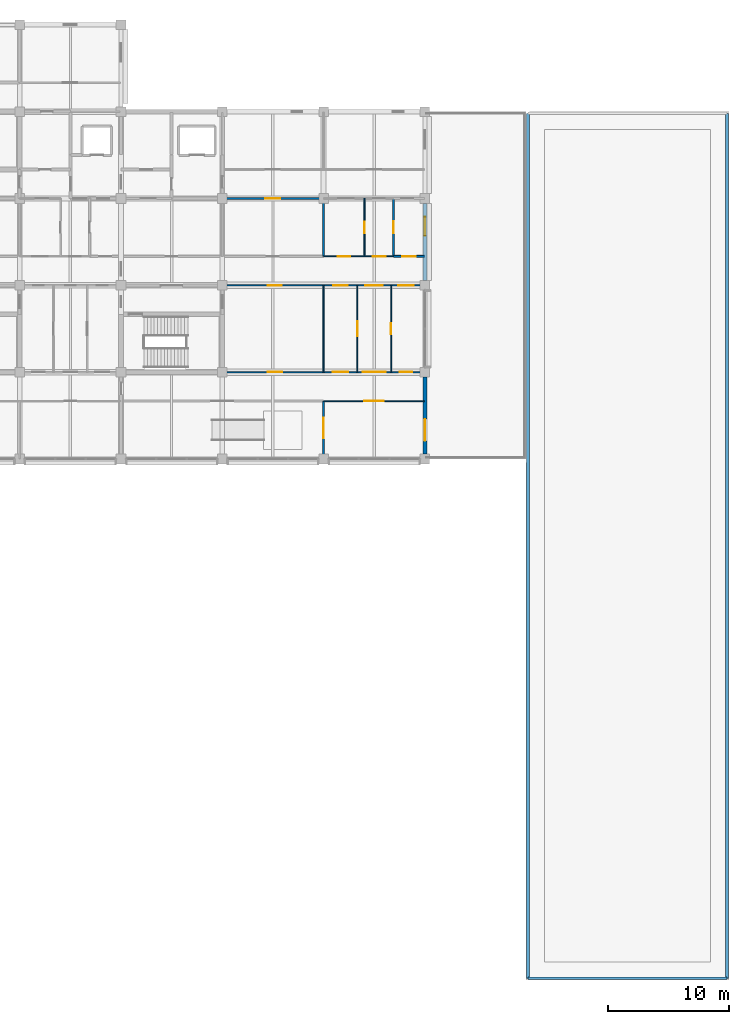
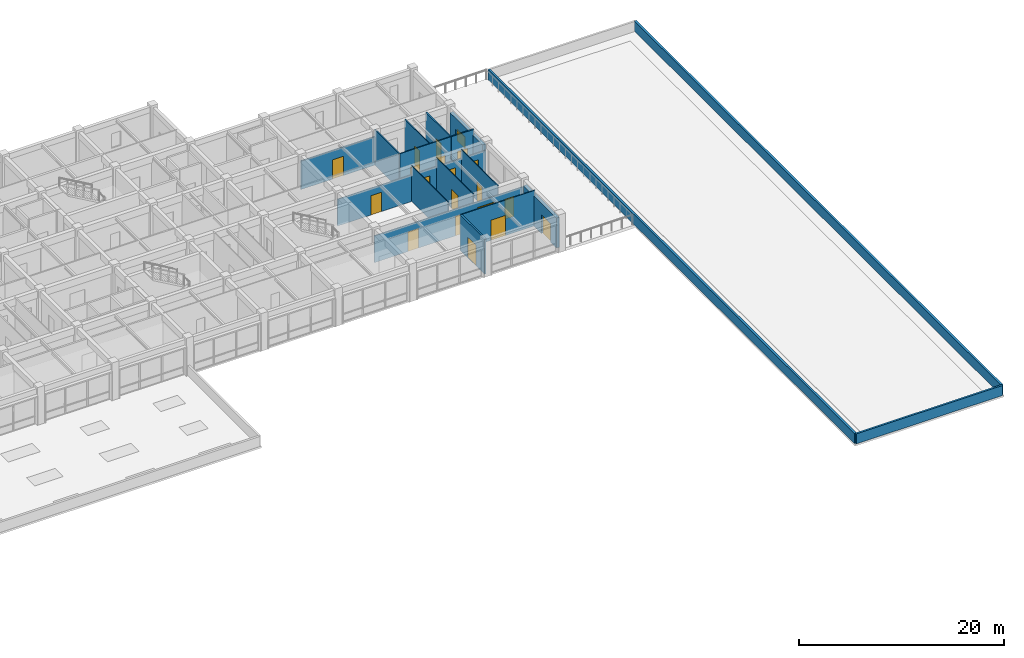
# One storey, part 31 of 40: 19 doors, 18 walls, 1 window, 20 openings.
"""IFC4 building model written with IfcOpenShell, lengths in metres."""

from ifc_helpers import new_model, si_unit, direction, frame, frame_2d, origin, place, context, subcontext, project, spatial, rectangle, extrude, material, layer, layer_set, type_object, element, fill, save


model = new_model("IFC4")

# Units and contexts
model_context = context("Model", 3, precision=1e-05, world=origin(), true_north=direction((0.0, 1.0)))
body_context = subcontext(model_context, "Body", "Model", "MODEL_VIEW")
ifc_project = project(units=[si_unit("LENGTHUNIT", "METRE"), si_unit("AREAUNIT", "SQUARE_METRE"), si_unit("VOLUMEUNIT", "CUBIC_METRE"), si_unit("PLANEANGLEUNIT", "RADIAN"), si_unit("MASSUNIT", "GRAM", prefix="KILO")], contexts=[model_context])

# Site, building, storey
site_placement = place(None, origin())
site = spatial("IfcSite", under=ifc_project, at=site_placement, CompositionType="ELEMENT")
building_placement = place(site_placement, origin())
building = spatial("IfcBuilding", under=site, at=building_placement, Name="Chengyuan Square Courthouse", CompositionType="ELEMENT")
storey_placement = place(building_placement, frame((0.0, 0.0, 21.60009765625)))
storey = spatial("IfcBuildingStorey", under=building, at=storey_placement, Name="L05", CompositionType="ELEMENT", Elevation=21.60009765625)

# Wall, opening, door
ifc_material_1 = material(Name="Concrete C40", Category="concrete")
ifc_layer_1 = layer(ifc_material_1, 0.35009765625)
ifc_layer_set_1 = layer_set([ifc_layer_1], Name="Concrete C40")
wall_type_1 = type_object("IfcWallType", Name="WL-EW2", PredefinedType="STANDARD", material=ifc_layer_set_1)
wall_1_placement = place(storey_placement, frame((142.800048828125, 79.594970703125, 0.0), z_axis=(0.0, 0.0, 1.0), x_axis=(0.0, 1.0, 0.0)))
wall_1 = element("IfcWall", 1, at=wall_1_placement, inside=storey, type_object=wall_type_1, Name="Exterior Wall WL-L05-E353", PredefinedType="STANDARD", context=body_context, shape_type="SweptSolid", body=[
    extrude(rectangle(XDim=6.409912109375, YDim=0.35009765625, at=frame_2d((3.205078125, 0.0))), origin(), (0.0, 0.0, 1.0), 3.58984375),
])
opening_1_placement = place(wall_1_placement, frame((1.10498046875, 0.0, 0.0)))
opening_1 = element("IfcOpeningElement", 2, at=opening_1_placement, cuts=wall_1, Name="Opening DR-005", PredefinedType="OPENING", context=body_context, shape_type="SweptSolid", body=[
    extrude(rectangle(XDim=1.800048828125, YDim=2.25, at=frame_2d((0.89990234375, 1.125))), frame((0.0, 0.18701171875, 0.0), z_axis=(0.0, -1.0, 0.0), x_axis=(1.0, 0.0, 0.0)), (0.0, 0.0, 1.0), 0.3740234375),
])
ifc_material_2 = material(Name="Thermally Broken Aluminium Terrace Door", Category="aluminium")
door_type_1 = type_object("IfcDoorType", Name="DT-02", OperationType="DOUBLE_DOOR_SINGLE_SWING", PredefinedType="DOOR", material=ifc_material_2)
door_1_placement = place(opening_1_placement, frame((1.800048828125, 0.0, 0.0), z_axis=(0.0, 0.0, 1.0), x_axis=(-1.0, 0.0, 0.0)))
door_1 = element("IfcDoor", 3, at=door_1_placement, inside=storey, type_object=door_type_1, Name="Planted Terrace Access Door DR-005", OperationType="DOUBLE_DOOR_SINGLE_SWING", OverallHeight=2.25, OverallWidth=1.800048828125, PredefinedType="DOOR", context=body_context, shape_type="SweptSolid", body=[
    extrude(rectangle(XDim=1.800048828125, YDim=2.25, at=frame_2d((0.89990234375, 1.125))), frame((0.0, 0.02490234375, 0.0), z_axis=(0.0, -1.0, 0.0), x_axis=(1.0, 0.0, 0.0)), (0.0, 0.0, 1.0), 0.050048828125),
])
fill(opening_1, door_1)

# Wall, opening, window
wall_2_placement = place(storey_placement, frame((142.800048828125, 93.9951171875, 0.0), z_axis=(0.0, 0.0, 1.0), x_axis=(0.0, 1.0, 0.0)))
wall_2 = element("IfcWall", 4, at=wall_2_placement, inside=storey, type_object=wall_type_1, Name="Exterior Wall WL-L05-E354", PredefinedType="STANDARD", context=body_context, shape_type="SweptSolid", body=[
    extrude(rectangle(XDim=6.409912109375, YDim=0.35009765625, at=frame_2d((3.205078125, 0.0))), origin(), (0.0, 0.0, 1.0), 3.58984375),
])
opening_2_placement = place(wall_2_placement, frame((3.72998046875, 0.0, 0.85009765625)))
opening_2 = element("IfcOpeningElement", 5, at=opening_2_placement, cuts=wall_2, Name="Opening WN-120", PredefinedType="OPENING", context=body_context, shape_type="SweptSolid", body=[
    extrude(rectangle(XDim=1.550048828125, YDim=1.3798828125, at=frame_2d((0.77490234375, 0.68994140625))), frame((0.0, 0.18701171875, 0.0), z_axis=(0.0, -1.0, 0.0), x_axis=(1.0, 0.0, 0.0)), (0.0, 0.0, 1.0), 0.3740234375),
])
ifc_material_3 = material(Name="Thermally Broken Aluminium Triple Low-E Window", Category="aluminium")
window_type = type_object("IfcWindowType", Name="WT-26", PartitioningType="SINGLE_PANEL", PredefinedType="WINDOW", material=ifc_material_3)
window_placement = place(opening_2_placement, origin())
window = element("IfcWindow", 6, at=window_placement, inside=storey, type_object=window_type, Name="Facade Window WN-120", OverallHeight=1.3798828125, OverallWidth=1.550048828125, PartitioningType="SINGLE_PANEL", PredefinedType="WINDOW", context=body_context, shape_type="SweptSolid", body=[
    extrude(rectangle(XDim=1.550048828125, YDim=1.3798828125, at=frame_2d((0.77490234375, 0.68994140625))), frame((0.0, 0.030029296875, 0.0), z_axis=(0.0, -1.0, 0.0), x_axis=(1.0, 0.0, 0.0)), (0.0, 0.0, 1.0), 0.06005859375),
])
fill(opening_2, window)

# Walls
ifc_layer_2 = layer(ifc_material_1, 0.219970703125)
ifc_layer_set_2 = layer_set([ifc_layer_2], Name="Concrete C40")
wall_type_2 = type_object("IfcWallType", Name="WL-PR1", PredefinedType="PARAPET", material=ifc_layer_set_2)
wall_3_placement = place(storey_placement, frame((151.340087890625, 36.139892578125, 0.0), z_axis=(0.0, 0.0, 1.0), x_axis=(1.0, 0.0, 0.0)))
element("IfcWall", 7, at=wall_3_placement, inside=storey, type_object=wall_type_2, Name="Roof Parapet Wall PAR-L05-019", PredefinedType="PARAPET", context=body_context, shape_type="SweptSolid", body=[
    extrude(rectangle(XDim=16.52001953125, YDim=0.219970703125, at=frame_2d((8.260009765625, 0.0))), origin(), (0.0, 0.0, 1.0), 1.199951171875),
])
ifc_layer_3 = layer(ifc_material_1, 0.239990234375)
ifc_layer_set_3 = layer_set([ifc_layer_3], Name="Concrete C40")
wall_type_3 = type_object("IfcWallType", Name="WL-PR2", PredefinedType="PARAPET", material=ifc_layer_set_3)
for number, where, z_axis, x_axis, name in (
    (8, (167.860107421875, 36.139892578125, 0.0), (0.0, 0.0, 1.0), (0.0, 1.0, 0.0), "Roof Parapet Wall PAR-L05-020"),
    (9, (151.340087890625, 107.860107421875, 0.0), (0.0, 0.0, 1.0), (0.0, -1.0, 0.0), "Roof Parapet Wall PAR-L05-022"),
):
    element("IfcWall", number, at=place(storey_placement, frame(where, z_axis=z_axis, x_axis=x_axis)), inside=storey, type_object=wall_type_3, Name=name, PredefinedType="PARAPET", context=body_context, shape_type="SweptSolid", body=[
        extrude(rectangle(XDim=71.72021484375, YDim=0.239990234375, at=frame_2d((35.860107421875, 0.0))), origin(), (0.0, 0.0, 1.0), 1.199951171875),
    ])

# Wall, opening, door
ifc_material_4 = material(Name="Double-Stud Acoustic Gypsum Courtroom Partition")
ifc_layer_4 = layer(ifc_material_4, 0.179931640625)
ifc_layer_set_4 = layer_set([ifc_layer_4], Name="Double-Stud Acoustic Gypsum Courtroom Partition")
wall_type_4 = type_object("IfcWallType", Name="WL-PT1", PredefinedType="STANDARD", material=ifc_layer_set_4)
wall_4_placement = place(storey_placement, frame((134.39990234375, 79.239990234375, 0.0), z_axis=(0.0, 0.0, 1.0), x_axis=(0.0, 1.0, 0.0)))
wall_4 = element("IfcWall", 10, at=wall_4_placement, inside=storey, type_object=wall_type_4, Name="Interior Wall WL-L05-I2351", PredefinedType="STANDARD", context=body_context, shape_type="SweptSolid", body=[
    extrude(rectangle(XDim=4.760009765625, YDim=0.179931640625, at=frame_2d((2.3798828125, 0.0))), origin(), (0.0, 0.0, 1.0), 4.239990234375),
])
opening_3_placement = place(wall_4_placement, frame((1.669921875, 0.0, 0.0)))
opening_3 = element("IfcOpeningElement", 11, at=opening_3_placement, cuts=wall_4, Name="Opening DR-2110", PredefinedType="OPENING", context=body_context, shape_type="SweptSolid", body=[
    extrude(rectangle(XDim=1.699951171875, YDim=2.449951171875, at=frame_2d((0.85009765625, 1.22509765625))), frame((0.0, 0.10205078125, 0.0), z_axis=(0.0, -1.0, 0.0), x_axis=(1.0, 0.0, 0.0)), (0.0, 0.0, 1.0), 0.203857421875),
])
ifc_material_5 = material(Name="Acoustic Larch Veneer Double Door")
door_type_2 = type_object("IfcDoorType", Name="DT-24", OperationType="DOUBLE_DOOR_SINGLE_SWING", PredefinedType="DOOR", material=ifc_material_5)
door_2_placement = place(opening_3_placement, frame((1.699951171875, 0.0, 0.0), z_axis=(0.0, 0.0, 1.0), x_axis=(-1.0, 0.0, 0.0)))
door_2 = element("IfcDoor", 12, at=door_2_placement, inside=storey, type_object=door_type_2, Name="Interior Door DR-2110", OperationType="DOUBLE_DOOR_SINGLE_SWING", OverallHeight=2.449951171875, OverallWidth=1.699951171875, PredefinedType="DOOR", context=body_context, shape_type="SweptSolid", body=[
    extrude(rectangle(XDim=1.699951171875, YDim=2.449951171875, at=frame_2d((0.85009765625, 1.22509765625))), frame((0.0, 0.02490234375, 0.0), z_axis=(0.0, -1.0, 0.0), x_axis=(1.0, 0.0, 0.0)), (0.0, 0.0, 1.0), 0.050048828125),
])
fill(opening_3, door_2)

ifc_material_6 = material(Name="Deliberation Room Sound-Insulated Partition")
ifc_layer_5 = layer(ifc_material_6, 0.14990234375)
ifc_layer_set_5 = layer_set([ifc_layer_5], Name="Deliberation Room Sound-Insulated Partition")
wall_type_5 = type_object("IfcWallType", Name="WL-PT3", PredefinedType="STANDARD", material=ifc_layer_set_5)
wall_5_placement = place(storey_placement, frame((140.199951171875, 96.0, 0.0), z_axis=(0.0, 0.0, 1.0), x_axis=(1.0, 0.0, 0.0)))
wall_5 = element("IfcWall", 13, at=wall_5_placement, inside=storey, type_object=wall_type_5, Name="Interior Wall WL-L05-I2152", PredefinedType="STANDARD", context=body_context, shape_type="SweptSolid", body=[
    extrude(rectangle(XDim=2.56005859375, YDim=0.14990234375, at=frame_2d((1.280029296875, 0.0))), origin(), (0.0, 0.0, 1.0), 4.239990234375),
])
opening_4_placement = place(wall_5_placement, frame((0.719970703125, 0.0, 0.0)))
opening_4 = element("IfcOpeningElement", 14, at=opening_4_placement, cuts=wall_5, Name="Opening DR-2042", PredefinedType="OPENING", context=body_context, shape_type="SweptSolid", body=[
    extrude(rectangle(XDim=1.1201171875, YDim=2.25, at=frame_2d((0.56005859375, 1.125))), frame((0.0, 0.0869140625, 0.0), z_axis=(0.0, -1.0, 0.0), x_axis=(1.0, 0.0, 0.0)), (0.0, 0.0, 1.0), 0.173828125),
])
ifc_material_7 = material(Name="Acoustic Solid-Core Timber Door", Category="wood")
door_type_3 = type_object("IfcDoorType", Name="DT-34", OperationType="NOTDEFINED", PredefinedType="DOOR", material=ifc_material_7)
door_3_placement = place(opening_4_placement, origin())
door_3 = element("IfcDoor", 15, at=door_3_placement, inside=storey, type_object=door_type_3, Name="Interior Door DR-2042", OperationType="SINGLE_SWING_RIGHT", OverallHeight=2.25, OverallWidth=1.1201171875, PredefinedType="DOOR", context=body_context, shape_type="SweptSolid", body=[
    extrude(rectangle(XDim=1.1201171875, YDim=2.25, at=frame_2d((0.56005859375, 1.125))), frame((0.0, 0.02490234375, 0.0), z_axis=(0.0, -1.0, 0.0), x_axis=(1.0, 0.0, 0.0)), (0.0, 0.0, 1.0), 0.050048828125),
])
fill(opening_4, door_3)

wall_6_placement = place(storey_placement, frame((126.0, 100.800048828125, 0.0), z_axis=(0.0, 0.0, 1.0), x_axis=(1.0, 0.0, 0.0)))
wall_6 = element("IfcWall", 16, at=wall_6_placement, inside=storey, type_object=wall_type_5, Name="Interior Wall WL-L05-I2169", PredefinedType="STANDARD", context=body_context, shape_type="SweptSolid", body=[
    extrude(rectangle(XDim=8.39990234375, YDim=0.14990234375, at=frame_2d((4.199951171875, 0.0))), origin(), (0.0, 0.0, 1.0), 3.389892578125),
])
opening_5_placement = place(wall_6_placement, frame((3.580078125, 0.0, 0.0)))
opening_5 = element("IfcOpeningElement", 17, at=opening_5_placement, cuts=wall_6, Name="Opening DR-1994", PredefinedType="OPENING", context=body_context, shape_type="SweptSolid", body=[
    extrude(rectangle(XDim=1.239990234375, YDim=2.300048828125, at=frame_2d((0.6201171875, 1.14990234375))), frame((0.0, 0.0869140625, 0.0), z_axis=(0.0, -1.0, 0.0), x_axis=(1.0, 0.0, 0.0)), (0.0, 0.0, 1.0), 0.173828125),
])
door_type_4 = type_object("IfcDoorType", Name="DT-37", OperationType="NOTDEFINED", PredefinedType="DOOR", material=ifc_material_7)
door_4_placement = place(opening_5_placement, origin())
door_4 = element("IfcDoor", 18, at=door_4_placement, inside=storey, type_object=door_type_4, Name="Interior Door DR-1994", OperationType="SINGLE_SWING_RIGHT", OverallHeight=2.300048828125, OverallWidth=1.239990234375, PredefinedType="DOOR", context=body_context, shape_type="SweptSolid", body=[
    extrude(rectangle(XDim=1.239990234375, YDim=2.300048828125, at=frame_2d((0.6201171875, 1.14990234375))), frame((0.0, 0.02490234375, 0.0), z_axis=(0.0, -1.0, 0.0), x_axis=(1.0, 0.0, 0.0)), (0.0, 0.0, 1.0), 0.050048828125),
])
fill(opening_5, door_4)

# Wall
wall_7_placement = place(storey_placement, frame((134.39990234375, 96.0, 0.0), z_axis=(0.0, 0.0, 1.0), x_axis=(0.0, 1.0, 0.0)))
element("IfcWall", 19, at=wall_7_placement, inside=storey, type_object=wall_type_5, Name="Interior Wall WL-L05-I2353", PredefinedType="STANDARD", context=body_context, shape_type="SweptSolid", body=[
    extrude(rectangle(XDim=4.800048828125, YDim=0.14990234375, at=frame_2d((2.39990234375, 0.0))), origin(), (0.0, 0.0, 1.0), 4.239990234375),
])

# Wall, opening, door
wall_8_placement = place(storey_placement, frame((140.199951171875, 96.0, 0.0), z_axis=(0.0, 0.0, 1.0), x_axis=(0.0, 1.0, 0.0)))
wall_8 = element("IfcWall", 20, at=wall_8_placement, inside=storey, type_object=wall_type_5, Name="Interior Wall WL-L05-I2358", PredefinedType="STANDARD", context=body_context, shape_type="SweptSolid", body=[
    extrude(rectangle(XDim=4.800048828125, YDim=0.14990234375, at=frame_2d((2.39990234375, 0.0))), origin(), (0.0, 0.0, 1.0), 4.239990234375),
])
opening_6_placement = place(wall_8_placement, frame((1.89990234375, 0.0, 0.0)))
opening_6 = element("IfcOpeningElement", 21, at=opening_6_placement, cuts=wall_8, Name="Opening DR-2056", PredefinedType="OPENING", context=body_context, shape_type="SweptSolid", body=[
    extrude(rectangle(XDim=1.0, YDim=2.25, at=frame_2d((0.5, 1.125))), frame((0.0, 0.0869140625, 0.0), z_axis=(0.0, -1.0, 0.0), x_axis=(1.0, 0.0, 0.0)), (0.0, 0.0, 1.0), 0.173828125),
])
door_type_5 = type_object("IfcDoorType", Name="DT-31", OperationType="NOTDEFINED", PredefinedType="DOOR", material=ifc_material_7)
door_5_placement = place(opening_6_placement, origin())
door_5 = element("IfcDoor", 22, at=door_5_placement, inside=storey, type_object=door_type_5, Name="Interior Door DR-2056", OperationType="SINGLE_SWING_LEFT", OverallHeight=2.25, OverallWidth=1.0, PredefinedType="DOOR", context=body_context, shape_type="SweptSolid", body=[
    extrude(rectangle(XDim=1.0, YDim=2.25, at=frame_2d((0.5, 1.125))), frame((0.0, 0.02490234375, 0.0), z_axis=(0.0, -1.0, 0.0), x_axis=(1.0, 0.0, 0.0)), (0.0, 0.0, 1.0), 0.050048828125),
])
fill(opening_6, door_5)

ifc_material_8 = material(Name="Gypsum Plasterboard Acoustic Stud Partition")
ifc_layer_6 = layer(ifc_material_8, 0.10009765625)
ifc_layer_set_6 = layer_set([ifc_layer_6], Name="Gypsum Plasterboard Acoustic Stud Partition")
wall_type_6 = type_object("IfcWallType", Name="WL-PT6", PredefinedType="STANDARD", material=ifc_layer_set_6)
wall_9_placement = place(storey_placement, frame((134.39990234375, 84.0, 0.0), z_axis=(0.0, 0.0, 1.0), x_axis=(1.0, 0.0, 0.0)))
wall_9 = element("IfcWall", 23, at=wall_9_placement, inside=storey, type_object=wall_type_6, Name="Interior Wall WL-L05-I2108", PredefinedType="STANDARD", context=body_context, shape_type="SweptSolid", body=[
    extrude(rectangle(XDim=8.360107421875, YDim=0.10009765625, at=frame_2d((4.18017578125, 0.0))), origin(), (0.0, 0.0, 1.0), 4.239990234375),
])
opening_7_placement = place(wall_9_placement, frame((3.35498046875, 0.0, 0.0)))
opening_7 = element("IfcOpeningElement", 24, at=opening_7_placement, cuts=wall_9, Name="Opening DR-2108", PredefinedType="OPENING", context=body_context, shape_type="SweptSolid", body=[
    extrude(rectangle(XDim=1.64990234375, YDim=2.39990234375, at=frame_2d((0.824951171875, 1.199951171875))), frame((0.0, 0.06201171875, 0.0), z_axis=(0.0, -1.0, 0.0), x_axis=(1.0, 0.0, 0.0)), (0.0, 0.0, 1.0), 0.1240234375),
])
door_type_6 = type_object("IfcDoorType", Name="DT-22", OperationType="DOUBLE_DOOR_SINGLE_SWING", PredefinedType="DOOR", material=ifc_material_5)
door_6_placement = place(opening_7_placement, frame((1.64990234375, 0.0, 0.0), z_axis=(0.0, 0.0, 1.0), x_axis=(-1.0, 0.0, 0.0)))
door_6 = element("IfcDoor", 25, at=door_6_placement, inside=storey, type_object=door_type_6, Name="Interior Door DR-2108", OperationType="DOUBLE_DOOR_SINGLE_SWING", OverallHeight=2.39990234375, OverallWidth=1.64990234375, PredefinedType="DOOR", context=body_context, shape_type="SweptSolid", body=[
    extrude(rectangle(XDim=1.64990234375, YDim=2.39990234375, at=frame_2d((0.824951171875, 1.199951171875))), frame((0.0, 0.02490234375, 0.0), z_axis=(0.0, -1.0, 0.0), x_axis=(1.0, 0.0, 0.0)), (0.0, 0.0, 1.0), 0.050048828125),
])
fill(opening_7, door_6)

# Wall, openings, doors
wall_10_placement = place(storey_placement, frame((126.0, 86.39990234375, 0.0), z_axis=(0.0, 0.0, 1.0), x_axis=(1.0, 0.0, 0.0)))
wall_10 = element("IfcWall", 26, at=wall_10_placement, inside=storey, type_object=wall_type_6, Name="Interior Wall WL-L05-I2120", PredefinedType="STANDARD", context=body_context, shape_type="SweptSolid", body=[
    extrude(rectangle(XDim=16.760009765625, YDim=0.10009765625, at=frame_2d((8.3798828125, 0.0))), origin(), (0.0, 0.0, 1.0), 3.18994140625),
])
opening_8_placement = place(wall_10_placement, frame((3.760009765625, 0.0, 0.0)))
opening_8 = element("IfcOpeningElement", 27, at=opening_8_placement, cuts=wall_10, Name="Opening DR-2078", PredefinedType="OPENING", context=body_context, shape_type="SweptSolid", body=[
    extrude(rectangle(XDim=1.199951171875, YDim=2.35009765625, at=frame_2d((0.60009765625, 1.175048828125))), frame((0.0, 0.06201171875, 0.0), z_axis=(0.0, -1.0, 0.0), x_axis=(1.0, 0.0, 0.0)), (0.0, 0.0, 1.0), 0.1240234375),
])
opening_9_placement = place(wall_10_placement, frame((9.159912109375, 0.0, 0.0)))
opening_9 = element("IfcOpeningElement", 28, at=opening_9_placement, cuts=wall_10, Name="Opening DR-2080", PredefinedType="OPENING", context=body_context, shape_type="SweptSolid", body=[
    extrude(rectangle(XDim=1.280029296875, YDim=2.35009765625, at=frame_2d((0.64013671875, 1.175048828125))), frame((0.0, 0.06201171875, 0.0), z_axis=(0.0, -1.0, 0.0), x_axis=(1.0, 0.0, 0.0)), (0.0, 0.0, 1.0), 0.1240234375),
])
opening_10_placement = place(wall_10_placement, frame((11.64990234375, 0.0, 0.0)))
opening_10 = element("IfcOpeningElement", 29, at=opening_10_placement, cuts=wall_10, Name="Opening DR-2082", PredefinedType="OPENING", context=body_context, shape_type="SweptSolid", body=[
    extrude(rectangle(XDim=1.89990234375, YDim=2.5, at=frame_2d((0.949951171875, 1.25))), frame((0.0, 0.06201171875, 0.0), z_axis=(0.0, -1.0, 0.0), x_axis=(1.0, 0.0, 0.0)), (0.0, 0.0, 1.0), 0.1240234375),
])
opening_11_placement = place(wall_10_placement, frame((14.72998046875, 0.0, 0.0)))
opening_11 = element("IfcOpeningElement", 30, at=opening_11_placement, cuts=wall_10, Name="Opening DR-2083", PredefinedType="OPENING", context=body_context, shape_type="SweptSolid", body=[
    extrude(rectangle(XDim=1.02001953125, YDim=2.39990234375, at=frame_2d((0.510009765625, 1.199951171875))), frame((0.0, 0.06201171875, 0.0), z_axis=(0.0, -1.0, 0.0), x_axis=(1.0, 0.0, 0.0)), (0.0, 0.0, 1.0), 0.1240234375),
])
door_type_7 = type_object("IfcDoorType", Name="DT-26", OperationType="DOUBLE_DOOR_SINGLE_SWING", PredefinedType="DOOR", material=ifc_material_5)
door_7_placement = place(opening_10_placement, frame((1.89990234375, 0.0, 0.0), z_axis=(0.0, 0.0, 1.0), x_axis=(-1.0, 0.0, 0.0)))
door_7 = element("IfcDoor", 31, at=door_7_placement, inside=storey, type_object=door_type_7, Name="Interior Door DR-2082", OperationType="DOUBLE_DOOR_SINGLE_SWING", OverallHeight=2.5, OverallWidth=1.89990234375, PredefinedType="DOOR", context=body_context, shape_type="SweptSolid", body=[
    extrude(rectangle(XDim=1.89990234375, YDim=2.5, at=frame_2d((0.949951171875, 1.25))), frame((0.0, 0.02490234375, 0.0), z_axis=(0.0, -1.0, 0.0), x_axis=(1.0, 0.0, 0.0)), (0.0, 0.0, 1.0), 0.050048828125),
])
fill(opening_10, door_7)
door_type_8 = type_object("IfcDoorType", Name="DT-36", OperationType="NOTDEFINED", PredefinedType="DOOR", material=ifc_material_7)
door_8_placement = place(opening_8_placement, origin())
door_8 = element("IfcDoor", 32, at=door_8_placement, inside=storey, type_object=door_type_8, Name="Interior Door DR-2078", OperationType="SINGLE_SWING_RIGHT", OverallHeight=2.35009765625, OverallWidth=1.199951171875, PredefinedType="DOOR", context=body_context, shape_type="SweptSolid", body=[
    extrude(rectangle(XDim=1.199951171875, YDim=2.35009765625, at=frame_2d((0.60009765625, 1.175048828125))), frame((0.0, 0.02490234375, 0.0), z_axis=(0.0, -1.0, 0.0), x_axis=(1.0, 0.0, 0.0)), (0.0, 0.0, 1.0), 0.050048828125),
])
fill(opening_8, door_8)
door_type_9 = type_object("IfcDoorType", Name="DT-38", OperationType="NOTDEFINED", PredefinedType="DOOR", material=ifc_material_7)
door_9_placement = place(opening_9_placement, origin())
door_9 = element("IfcDoor", 33, at=door_9_placement, inside=storey, type_object=door_type_9, Name="Interior Door DR-2080", OperationType="SINGLE_SWING_RIGHT", OverallHeight=2.35009765625, OverallWidth=1.280029296875, PredefinedType="DOOR", context=body_context, shape_type="SweptSolid", body=[
    extrude(rectangle(XDim=1.280029296875, YDim=2.35009765625, at=frame_2d((0.64013671875, 1.175048828125))), frame((0.0, 0.02490234375, 0.0), z_axis=(0.0, -1.0, 0.0), x_axis=(1.0, 0.0, 0.0)), (0.0, 0.0, 1.0), 0.050048828125),
])
fill(opening_9, door_9)
door_type_10 = type_object("IfcDoorType", Name="DT-41", OperationType="NOTDEFINED", PredefinedType="DOOR", material=ifc_material_7)
door_10_placement = place(opening_11_placement, origin())
door_10 = element("IfcDoor", 34, at=door_10_placement, inside=storey, type_object=door_type_10, Name="Interior Door DR-2083", OperationType="SINGLE_SWING_RIGHT", OverallHeight=2.39990234375, OverallWidth=1.02001953125, PredefinedType="DOOR", context=body_context, shape_type="SweptSolid", body=[
    extrude(rectangle(XDim=1.02001953125, YDim=2.39990234375, at=frame_2d((0.510009765625, 1.199951171875))), frame((0.0, 0.02490234375, 0.0), z_axis=(0.0, -1.0, 0.0), x_axis=(1.0, 0.0, 0.0)), (0.0, 0.0, 1.0), 0.050048828125),
])
fill(opening_11, door_10)

wall_11_placement = place(storey_placement, frame((126.0, 93.60009765625, 0.0), z_axis=(0.0, 0.0, 1.0), x_axis=(1.0, 0.0, 0.0)))
wall_11 = element("IfcWall", 35, at=wall_11_placement, inside=storey, type_object=wall_type_6, Name="Interior Wall WL-L05-I2142", PredefinedType="STANDARD", context=body_context, shape_type="SweptSolid", body=[
    extrude(rectangle(XDim=16.760009765625, YDim=0.10009765625, at=frame_2d((8.3798828125, 0.0))), origin(), (0.0, 0.0, 1.0), 3.18994140625),
])
opening_12_placement = place(wall_11_placement, frame((3.780029296875, 0.0, 0.0)))
opening_12 = element("IfcOpeningElement", 36, at=opening_12_placement, cuts=wall_11, Name="Opening DR-2043", PredefinedType="OPENING", context=body_context, shape_type="SweptSolid", body=[
    extrude(rectangle(XDim=1.159912109375, YDim=2.300048828125, at=frame_2d((0.580078125, 1.14990234375))), frame((0.0, 0.06201171875, 0.0), z_axis=(0.0, -1.0, 0.0), x_axis=(1.0, 0.0, 0.0)), (0.0, 0.0, 1.0), 0.1240234375),
])
opening_13_placement = place(wall_11_placement, frame((9.199951171875, 0.0, 0.0)))
opening_13 = element("IfcOpeningElement", 37, at=opening_13_placement, cuts=wall_11, Name="Opening DR-2044", PredefinedType="OPENING", context=body_context, shape_type="SweptSolid", body=[
    extrude(rectangle(XDim=1.199951171875, YDim=2.35009765625, at=frame_2d((0.60009765625, 1.175048828125))), frame((0.0, 0.06201171875, 0.0), z_axis=(0.0, -1.0, 0.0), x_axis=(1.0, 0.0, 0.0)), (0.0, 0.0, 1.0), 0.1240234375),
])
opening_14_placement = place(wall_11_placement, frame((11.875, 0.0, 0.0)))
opening_14 = element("IfcOpeningElement", 38, at=opening_14_placement, cuts=wall_11, Name="Opening DR-2045", PredefinedType="OPENING", context=body_context, shape_type="SweptSolid", body=[
    extrude(rectangle(XDim=1.449951171875, YDim=2.300048828125, at=frame_2d((0.72509765625, 1.14990234375))), frame((0.0, 0.06201171875, 0.0), z_axis=(0.0, -1.0, 0.0), x_axis=(1.0, 0.0, 0.0)), (0.0, 0.0, 1.0), 0.1240234375),
])
opening_15_placement = place(wall_11_placement, frame((14.60009765625, 0.0, 0.0)))
opening_15 = element("IfcOpeningElement", 39, at=opening_15_placement, cuts=wall_11, Name="Opening DR-2046", PredefinedType="OPENING", context=body_context, shape_type="SweptSolid", body=[
    extrude(rectangle(XDim=1.280029296875, YDim=2.35009765625, at=frame_2d((0.64013671875, 1.175048828125))), frame((0.0, 0.06201171875, 0.0), z_axis=(0.0, -1.0, 0.0), x_axis=(1.0, 0.0, 0.0)), (0.0, 0.0, 1.0), 0.1240234375),
])
door_type_11 = type_object("IfcDoorType", Name="DT-25", OperationType="DOUBLE_DOOR_SINGLE_SWING", PredefinedType="DOOR", material=ifc_material_5)
door_11_placement = place(opening_14_placement, frame((1.449951171875, 0.0, 0.0), z_axis=(0.0, 0.0, 1.0), x_axis=(-1.0, 0.0, 0.0)))
door_11 = element("IfcDoor", 40, at=door_11_placement, inside=storey, type_object=door_type_11, Name="Interior Door DR-2045", OperationType="DOUBLE_DOOR_SINGLE_SWING", OverallHeight=2.300048828125, OverallWidth=1.449951171875, PredefinedType="DOOR", context=body_context, shape_type="SweptSolid", body=[
    extrude(rectangle(XDim=1.449951171875, YDim=2.300048828125, at=frame_2d((0.72509765625, 1.14990234375))), frame((0.0, 0.02490234375, 0.0), z_axis=(0.0, -1.0, 0.0), x_axis=(1.0, 0.0, 0.0)), (0.0, 0.0, 1.0), 0.050048828125),
])
fill(opening_14, door_11)
door_type_12 = type_object("IfcDoorType", Name="DT-35", OperationType="NOTDEFINED", PredefinedType="DOOR", material=ifc_material_7)
door_12_placement = place(opening_12_placement, origin())
door_12 = element("IfcDoor", 41, at=door_12_placement, inside=storey, type_object=door_type_12, Name="Interior Door DR-2043", OperationType="SINGLE_SWING_LEFT", OverallHeight=2.300048828125, OverallWidth=1.159912109375, PredefinedType="DOOR", context=body_context, shape_type="SweptSolid", body=[
    extrude(rectangle(XDim=1.159912109375, YDim=2.300048828125, at=frame_2d((0.580078125, 1.14990234375))), frame((0.0, 0.02490234375, 0.0), z_axis=(0.0, -1.0, 0.0), x_axis=(1.0, 0.0, 0.0)), (0.0, 0.0, 1.0), 0.050048828125),
])
fill(opening_12, door_12)
door_13_placement = place(opening_13_placement, origin())
door_13 = element("IfcDoor", 42, at=door_13_placement, inside=storey, type_object=door_type_8, Name="Interior Door DR-2044", OperationType="SINGLE_SWING_RIGHT", OverallHeight=2.35009765625, OverallWidth=1.199951171875, PredefinedType="DOOR", context=body_context, shape_type="SweptSolid", body=[
    extrude(rectangle(XDim=1.199951171875, YDim=2.35009765625, at=frame_2d((0.60009765625, 1.175048828125))), frame((0.0, 0.02490234375, 0.0), z_axis=(0.0, -1.0, 0.0), x_axis=(1.0, 0.0, 0.0)), (0.0, 0.0, 1.0), 0.050048828125),
])
fill(opening_13, door_13)
door_14_placement = place(opening_15_placement, origin())
door_14 = element("IfcDoor", 43, at=door_14_placement, inside=storey, type_object=door_type_9, Name="Interior Door DR-2046", OperationType="SINGLE_SWING_LEFT", OverallHeight=2.35009765625, OverallWidth=1.280029296875, PredefinedType="DOOR", context=body_context, shape_type="SweptSolid", body=[
    extrude(rectangle(XDim=1.280029296875, YDim=2.35009765625, at=frame_2d((0.64013671875, 1.175048828125))), frame((0.0, 0.02490234375, 0.0), z_axis=(0.0, -1.0, 0.0), x_axis=(1.0, 0.0, 0.0)), (0.0, 0.0, 1.0), 0.050048828125),
])
fill(opening_15, door_14)

wall_12_placement = place(storey_placement, frame((134.39990234375, 96.0, 0.0), z_axis=(0.0, 0.0, 1.0), x_axis=(1.0, 0.0, 0.0)))
wall_12 = element("IfcWall", 44, at=wall_12_placement, inside=storey, type_object=wall_type_6, Name="Interior Wall WL-L05-I2151", PredefinedType="STANDARD", context=body_context, shape_type="SweptSolid", body=[
    extrude(rectangle(XDim=5.800048828125, YDim=0.10009765625, at=frame_2d((2.89990234375, 0.0))), origin(), (0.0, 0.0, 1.0), 4.239990234375),
])
opening_16_placement = place(wall_12_placement, frame((1.179931640625, 0.0, 0.0)))
opening_16 = element("IfcOpeningElement", 45, at=opening_16_placement, cuts=wall_12, Name="Opening DR-2040", PredefinedType="OPENING", context=body_context, shape_type="SweptSolid", body=[
    extrude(rectangle(XDim=1.0400390625, YDim=2.199951171875, at=frame_2d((0.52001953125, 1.10009765625))), frame((0.0, 0.06201171875, 0.0), z_axis=(0.0, -1.0, 0.0), x_axis=(1.0, 0.0, 0.0)), (0.0, 0.0, 1.0), 0.1240234375),
])
opening_17_placement = place(wall_12_placement, frame((4.06005859375, 0.0, 0.0)))
opening_17 = element("IfcOpeningElement", 46, at=opening_17_placement, cuts=wall_12, Name="Opening DR-2041", PredefinedType="OPENING", context=body_context, shape_type="SweptSolid", body=[
    extrude(rectangle(XDim=1.080078125, YDim=2.25, at=frame_2d((0.5400390625, 1.125))), frame((0.0, 0.06201171875, 0.0), z_axis=(0.0, -1.0, 0.0), x_axis=(1.0, 0.0, 0.0)), (0.0, 0.0, 1.0), 0.1240234375),
])
door_type_13 = type_object("IfcDoorType", Name="DT-32", OperationType="NOTDEFINED", PredefinedType="DOOR", material=ifc_material_7)
door_15_placement = place(opening_16_placement, origin())
door_15 = element("IfcDoor", 47, at=door_15_placement, inside=storey, type_object=door_type_13, Name="Interior Door DR-2040", OperationType="SINGLE_SWING_RIGHT", OverallHeight=2.199951171875, OverallWidth=1.0400390625, PredefinedType="DOOR", context=body_context, shape_type="SweptSolid", body=[
    extrude(rectangle(XDim=1.0400390625, YDim=2.199951171875, at=frame_2d((0.52001953125, 1.10009765625))), frame((0.0, 0.02490234375, 0.0), z_axis=(0.0, -1.0, 0.0), x_axis=(1.0, 0.0, 0.0)), (0.0, 0.0, 1.0), 0.050048828125),
])
fill(opening_16, door_15)
door_type_14 = type_object("IfcDoorType", Name="DT-33", OperationType="NOTDEFINED", PredefinedType="DOOR", material=ifc_material_7)
door_16_placement = place(opening_17_placement, origin())
door_16 = element("IfcDoor", 48, at=door_16_placement, inside=storey, type_object=door_type_14, Name="Interior Door DR-2041", OperationType="SINGLE_SWING_LEFT", OverallHeight=2.25, OverallWidth=1.080078125, PredefinedType="DOOR", context=body_context, shape_type="SweptSolid", body=[
    extrude(rectangle(XDim=1.080078125, YDim=2.25, at=frame_2d((0.5400390625, 1.125))), frame((0.0, 0.02490234375, 0.0), z_axis=(0.0, -1.0, 0.0), x_axis=(1.0, 0.0, 0.0)), (0.0, 0.0, 1.0), 0.050048828125),
])
fill(opening_17, door_16)

# Wall
wall_13_placement = place(storey_placement, frame((134.39990234375, 86.39990234375, 0.0), z_axis=(0.0, 0.0, 1.0), x_axis=(0.0, 1.0, 0.0)))
element("IfcWall", 49, at=wall_13_placement, inside=storey, type_object=wall_type_6, Name="Interior Wall WL-L05-I2352", PredefinedType="STANDARD", context=body_context, shape_type="SweptSolid", body=[
    extrude(rectangle(XDim=7.2001953125, YDim=0.10009765625, at=frame_2d((3.60009765625, 0.0))), origin(), (0.0, 0.0, 1.0), 4.239990234375),
])

# Wall, opening, door
wall_14_placement = place(storey_placement, frame((137.199951171875, 86.39990234375, 0.0), z_axis=(0.0, 0.0, 1.0), x_axis=(0.0, 1.0, 0.0)))
wall_14 = element("IfcWall", 50, at=wall_14_placement, inside=storey, type_object=wall_type_6, Name="Interior Wall WL-L05-I2355", PredefinedType="STANDARD", context=body_context, shape_type="SweptSolid", body=[
    extrude(rectangle(XDim=7.2001953125, YDim=0.10009765625, at=frame_2d((3.60009765625, 0.0))), origin(), (0.0, 0.0, 1.0), 4.239990234375),
])
opening_18_placement = place(wall_14_placement, frame((2.97998046875, 0.0, 0.0)))
opening_18 = element("IfcOpeningElement", 51, at=opening_18_placement, cuts=wall_14, Name="Opening DR-2079", PredefinedType="OPENING", context=body_context, shape_type="SweptSolid", body=[
    extrude(rectangle(XDim=1.239990234375, YDim=2.300048828125, at=frame_2d((0.6201171875, 1.14990234375))), frame((0.0, 0.06201171875, 0.0), z_axis=(0.0, -1.0, 0.0), x_axis=(1.0, 0.0, 0.0)), (0.0, 0.0, 1.0), 0.1240234375),
])
door_17_placement = place(opening_18_placement, origin())
door_17 = element("IfcDoor", 52, at=door_17_placement, inside=storey, type_object=door_type_4, Name="Interior Door DR-2079", OperationType="SINGLE_SWING_LEFT", OverallHeight=2.300048828125, OverallWidth=1.239990234375, PredefinedType="DOOR", context=body_context, shape_type="SweptSolid", body=[
    extrude(rectangle(XDim=1.239990234375, YDim=2.300048828125, at=frame_2d((0.6201171875, 1.14990234375))), frame((0.0, 0.02490234375, 0.0), z_axis=(0.0, -1.0, 0.0), x_axis=(1.0, 0.0, 0.0)), (0.0, 0.0, 1.0), 0.050048828125),
])
fill(opening_18, door_17)

wall_15_placement = place(storey_placement, frame((137.800048828125, 96.0, 0.0), z_axis=(0.0, 0.0, 1.0), x_axis=(0.0, 1.0, 0.0)))
wall_15 = element("IfcWall", 53, at=wall_15_placement, inside=storey, type_object=wall_type_6, Name="Interior Wall WL-L05-I2356", PredefinedType="STANDARD", context=body_context, shape_type="SweptSolid", body=[
    extrude(rectangle(XDim=4.800048828125, YDim=0.10009765625, at=frame_2d((2.39990234375, 0.0))), origin(), (0.0, 0.0, 1.0), 4.239990234375),
])
opening_19_placement = place(wall_15_placement, frame((1.919921875, 0.0, 0.0)))
opening_19 = element("IfcOpeningElement", 54, at=opening_19_placement, cuts=wall_15, Name="Opening DR-2055", PredefinedType="OPENING", context=body_context, shape_type="SweptSolid", body=[
    extrude(rectangle(XDim=0.9599609375, YDim=2.199951171875, at=frame_2d((0.47998046875, 1.10009765625))), frame((0.0, 0.06201171875, 0.0), z_axis=(0.0, -1.0, 0.0), x_axis=(1.0, 0.0, 0.0)), (0.0, 0.0, 1.0), 0.1240234375),
])
door_type_15 = type_object("IfcDoorType", Name="DT-30", OperationType="NOTDEFINED", PredefinedType="DOOR", material=ifc_material_7)
door_18_placement = place(opening_19_placement, origin())
door_18 = element("IfcDoor", 55, at=door_18_placement, inside=storey, type_object=door_type_15, Name="Interior Door DR-2055", OperationType="SINGLE_SWING_RIGHT", OverallHeight=2.199951171875, OverallWidth=0.9599609375, PredefinedType="DOOR", context=body_context, shape_type="SweptSolid", body=[
    extrude(rectangle(XDim=0.9599609375, YDim=2.199951171875, at=frame_2d((0.47998046875, 1.10009765625))), frame((0.0, 0.02490234375, 0.0), z_axis=(0.0, -1.0, 0.0), x_axis=(1.0, 0.0, 0.0)), (0.0, 0.0, 1.0), 0.050048828125),
])
fill(opening_19, door_18)

wall_16_placement = place(storey_placement, frame((140.0, 86.39990234375, 0.0), z_axis=(0.0, 0.0, 1.0), x_axis=(0.0, 1.0, 0.0)))
wall_16 = element("IfcWall", 56, at=wall_16_placement, inside=storey, type_object=wall_type_6, Name="Interior Wall WL-L05-I2357", PredefinedType="STANDARD", context=body_context, shape_type="SweptSolid", body=[
    extrude(rectangle(XDim=7.2001953125, YDim=0.10009765625, at=frame_2d((3.60009765625, 0.0))), origin(), (0.0, 0.0, 1.0), 4.239990234375),
])
opening_20_placement = place(wall_16_placement, frame((3.1298828125, 0.0, 0.0)))
opening_20 = element("IfcOpeningElement", 57, at=opening_20_placement, cuts=wall_16, Name="Opening DR-2081", PredefinedType="OPENING", context=body_context, shape_type="SweptSolid", body=[
    extrude(rectangle(XDim=0.93994140625, YDim=2.300048828125, at=frame_2d((0.469970703125, 1.14990234375))), frame((0.0, 0.06201171875, 0.0), z_axis=(0.0, -1.0, 0.0), x_axis=(1.0, 0.0, 0.0)), (0.0, 0.0, 1.0), 0.1240234375),
])
door_type_16 = type_object("IfcDoorType", Name="DT-39", OperationType="NOTDEFINED", PredefinedType="DOOR", material=ifc_material_7)
door_19_placement = place(opening_20_placement, origin())
door_19 = element("IfcDoor", 58, at=door_19_placement, inside=storey, type_object=door_type_16, Name="Interior Door DR-2081", OperationType="SINGLE_SWING_LEFT", OverallHeight=2.300048828125, OverallWidth=0.93994140625, PredefinedType="DOOR", context=body_context, shape_type="SweptSolid", body=[
    extrude(rectangle(XDim=0.93994140625, YDim=2.300048828125, at=frame_2d((0.469970703125, 1.14990234375))), frame((0.0, 0.02490234375, 0.0), z_axis=(0.0, -1.0, 0.0), x_axis=(1.0, 0.0, 0.0)), (0.0, 0.0, 1.0), 0.050048828125),
])
fill(opening_20, door_19)

save(model, "model.ifc")
